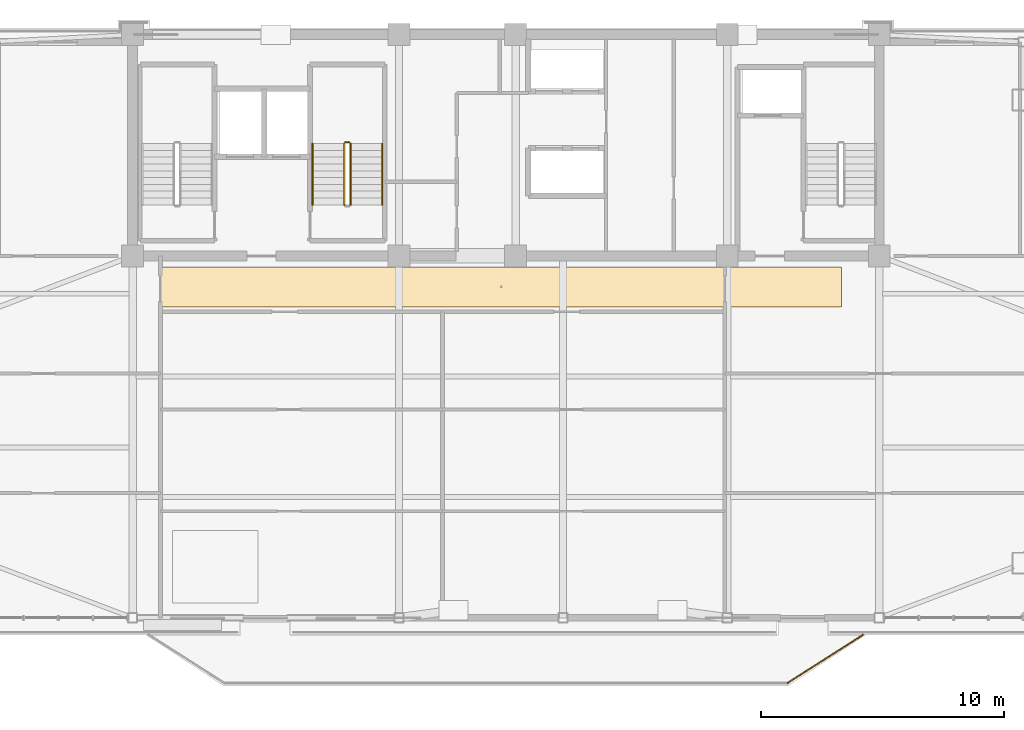
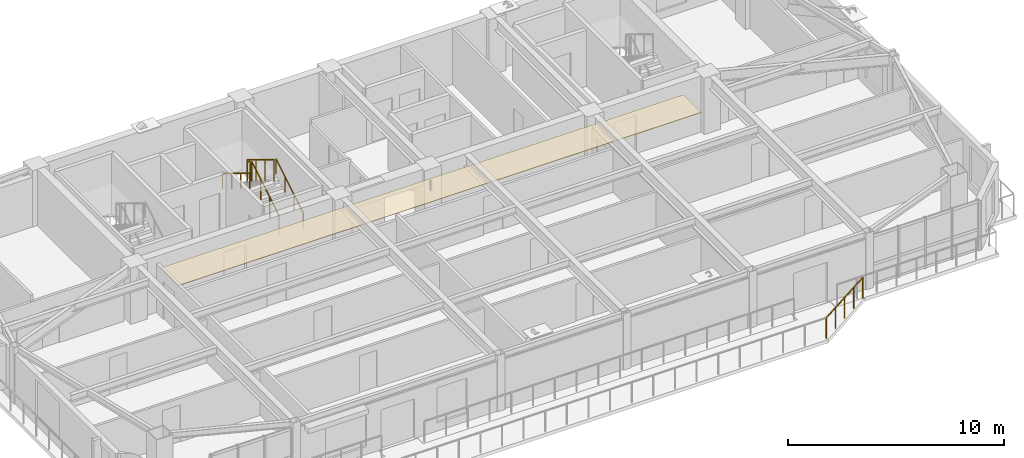
# One storey, part 12 of 13: 6 railings, 1 covering.
"""IFC4 building model written with IfcOpenShell, lengths in metres."""

from ifc_helpers import new_model, si_unit, direction, frame, origin, origin_2d, place, context, subcontext, project, spatial, polyline, rectangle, outline, extrude, material, layer, layer_set, type_object, element, save


model = new_model("IFC4")

# Units and contexts
model_context = context("Model", 3, precision=1e-05, world=origin(), true_north=direction((0.0, 1.0)))
body_context = subcontext(model_context, "Body", "Model", "MODEL_VIEW")
ifc_project = project(units=[si_unit("LENGTHUNIT", "METRE"), si_unit("AREAUNIT", "SQUARE_METRE"), si_unit("VOLUMEUNIT", "CUBIC_METRE"), si_unit("PLANEANGLEUNIT", "RADIAN"), si_unit("MASSUNIT", "GRAM", prefix="KILO")], contexts=[model_context])

# Site, building, storey
site_placement = place(None, origin())
site = spatial("IfcSite", under=ifc_project, at=site_placement, CompositionType="ELEMENT")
building_placement = place(site_placement, origin())
building = spatial("IfcBuilding", under=site, at=building_placement, Name="Giltprow Tower", CompositionType="ELEMENT")
storey_placement = place(building_placement, frame((0.0, 0.0, 335.699951171875)))
storey = spatial("IfcBuildingStorey", under=building, at=storey_placement, Name="L87", CompositionType="ELEMENT", Elevation=335.699951171875)

# Covering
ifc_material_1 = material(Name="Painted gypsum board", Category="gypsum")
ifc_layer = layer(ifc_material_1, 0.030029296875, Name="Painted gypsum board")
ifc_layer_set = layer_set([ifc_layer], Name="Painted gypsum board")
covering_type = type_object("IfcCoveringType", Name="COV-CLG-GYPSUM", PredefinedType="CEILING", material=ifc_layer_set)
covering_placement = place(storey_placement, frame((0.0, 0.0, 2.6201171875)))
element("IfcCovering", 1, at=covering_placement, inside=storey, type_object=covering_type, Name="L87 Residence Gallery Ceiling", PredefinedType="CEILING", context=body_context, shape_type="SweptSolid", body=[
    extrude(outline(polyline([(21.0, 35.35009765625), (49.0, 35.35009765625), (49.0, 37.0), (21.0, 37.0), (21.0, 35.35009765625)])), origin(), (0.0, 0.0, 1.0), 0.030029296875),
])

# Railings
ifc_material_2 = material(Name="Anodized bronze", Category="metal")
railing_type_1 = type_object("IfcRailingType", Name="RAIL-BALC-GUARD-1200", PredefinedType="BALUSTRADE", material=ifc_material_2)
railing_1_placement = place(storey_placement, frame((46.780029296875, 19.887939453125, 0.0)))
element("IfcRailing", 2, at=railing_1_placement, inside=storey, type_object=railing_type_1, Name="L87 Waterfront Balcony Balustrade Seg 3", PredefinedType="BALUSTRADE", context=body_context, shape_type="SweptSolid", body=[
    extrude(rectangle(XDim=0.048095703125, YDim=0.048095703125, at=origin_2d()), frame((0.0, 0.0, 1.17578125), z_axis=(0.842755646126, 0.538296313309, 0.0), x_axis=(-0.538296313309, 0.842755646126, 0.0)), (0.0, 0.0, 1.0), 3.67822265625),
    extrude(rectangle(XDim=0.0419921875, YDim=0.0419921875, at=origin_2d()), origin(), (0.0, 0.0, 1.0), 1.15185546875),
    extrude(rectangle(XDim=0.0419921875, YDim=0.0419921875, at=origin_2d()), frame((0.77490234375, 0.4951171875, 0.0)), (0.0, 0.0, 1.0), 1.15185546875),
    extrude(rectangle(XDim=0.0419921875, YDim=0.0419921875, at=origin_2d()), frame((1.5498046875, 0.989990234375, 0.0)), (0.0, 0.0, 1.0), 1.15185546875),
    extrude(rectangle(XDim=0.0419921875, YDim=0.0419921875, at=origin_2d()), frame((2.324951171875, 1.48486328125, 0.0)), (0.0, 0.0, 1.0), 1.15185546875),
    extrude(rectangle(XDim=0.0419921875, YDim=0.0419921875, at=origin_2d()), frame((3.099853515625, 1.97998046875, 0.0)), (0.0, 0.0, 1.0), 1.15185546875),
])
railing_type_2 = type_object("IfcRailingType", Name="RAIL-STAIR-GUARD-1200", PredefinedType="GUARDRAIL", material=ifc_material_2)
railing_2_placement = place(storey_placement, frame((28.81005859375, 39.550048828125, 0.170166015625)))
element("IfcRailing", 3, at=railing_2_placement, inside=storey, type_object=railing_type_2, Name="L87 ST-2 stair guard 1", PredefinedType="GUARDRAIL", context=body_context, shape_type="SweptSolid", body=[
    extrude(rectangle(XDim=0.048095703125, YDim=0.048095703125, at=origin_2d()), frame((0.0, 0.0, 1.17578125), z_axis=(0.0, 0.854821627497, 0.518921945155), x_axis=(-1.0, 0.0, 0.0)), (0.0, 0.0, 1.0), 2.947998046875),
    extrude(rectangle(XDim=0.0419921875, YDim=0.0419921875, at=origin_2d()), origin(), (0.0, 0.0, 1.0), 1.15185546875),
    extrude(rectangle(XDim=0.0419921875, YDim=0.0419921875, at=origin_2d()), frame((0.0, 0.840087890625, 0.510009765625)), (0.0, 0.0, 1.0), 1.15185546875),
    extrude(rectangle(XDim=0.0419921875, YDim=0.0419921875, at=origin_2d()), frame((0.0, 1.679931640625, 1.019775390625)), (0.0, 0.0, 1.0), 1.15185546875),
    extrude(rectangle(XDim=0.0419921875, YDim=0.0419921875, at=origin_2d()), frame((0.0, 2.52001953125, 1.52978515625)), (0.0, 0.0, 1.0), 1.15185546875),
])
railing_3_placement = place(storey_placement, frame((28.760009765625, 42.1201171875, 1.699951171875)))
element("IfcRailing", 4, at=railing_3_placement, inside=storey, type_object=railing_type_2, Name="L87 ST-2 stair guard 2", PredefinedType="GUARDRAIL", context=body_context, shape_type="SweptSolid", body=[
    extrude(rectangle(XDim=0.048095703125, YDim=0.048095703125, at=origin_2d()), frame((0.0, 0.0, 1.17578125), z_axis=(-1.0, 0.0, 0.0), x_axis=(0.0, -1.0, 0.0)), (0.0, 0.0, 1.0), 0.159912109375),
    extrude(rectangle(XDim=0.0419921875, YDim=0.0419921875, at=origin_2d()), origin(), (0.0, 0.0, 1.0), 1.15185546875),
    extrude(rectangle(XDim=0.0419921875, YDim=0.0419921875, at=origin_2d()), frame((-0.159912109375, 0.0, 0.0)), (0.0, 0.0, 1.0), 1.15185546875),
])
railing_4_placement = place(storey_placement, frame((28.550048828125, 42.070068359375, 1.8701171875)))
element("IfcRailing", 5, at=railing_4_placement, inside=storey, type_object=railing_type_2, Name="L87 ST-2 stair guard 3", PredefinedType="GUARDRAIL", context=body_context, shape_type="SweptSolid", body=[
    extrude(rectangle(XDim=0.048095703125, YDim=0.048095703125, at=origin_2d()), frame((0.0, 0.0, 1.17578125), z_axis=(0.0, -0.85478489116, 0.518982456201), x_axis=(1.0, 0.0, 0.0)), (0.0, 0.0, 1.0), 2.9482421875),
    extrude(rectangle(XDim=0.0419921875, YDim=0.0419921875, at=origin_2d()), origin(), (0.0, 0.0, 1.0), 1.15185546875),
    extrude(rectangle(XDim=0.0419921875, YDim=0.0419921875, at=origin_2d()), frame((0.0, -0.840087890625, 0.510009765625)), (0.0, 0.0, 1.0), 1.15185546875),
    extrude(rectangle(XDim=0.0419921875, YDim=0.0419921875, at=origin_2d()), frame((0.0, -1.679931640625, 1.02001953125)), (0.0, 0.0, 1.0), 1.15185546875),
    extrude(rectangle(XDim=0.0419921875, YDim=0.0419921875, at=origin_2d()), frame((0.0, -2.52001953125, 1.530029296875)), (0.0, 0.0, 1.0), 1.15185546875),
])
railing_type_3 = type_object("IfcRailingType", Name="RAIL-STAIR-HAND-900", PredefinedType="HANDRAIL", material=ifc_material_2)
railing_5_placement = place(storey_placement, frame((30.110107421875, 39.550048828125, 0.170166015625)))
element("IfcRailing", 6, at=railing_5_placement, inside=storey, type_object=railing_type_3, Name="L87 ST-2 stair handrail 1", PredefinedType="HANDRAIL", context=body_context, shape_type="SweptSolid", body=[
    extrude(rectangle(XDim=0.048095703125, YDim=0.048095703125, at=origin_2d()), frame((0.0, 0.0, 0.8759765625), z_axis=(0.0, 0.854821627497, 0.518921945155), x_axis=(-1.0, 0.0, 0.0)), (0.0, 0.0, 1.0), 2.947998046875),
    extrude(rectangle(XDim=0.0419921875, YDim=0.0419921875, at=origin_2d()), origin(), (0.0, 0.0, 1.0), 0.851806640625),
    extrude(rectangle(XDim=0.0419921875, YDim=0.0419921875, at=origin_2d()), frame((0.0, 0.840087890625, 0.510009765625)), (0.0, 0.0, 1.0), 0.851806640625),
    extrude(rectangle(XDim=0.0419921875, YDim=0.0419921875, at=origin_2d()), frame((0.0, 1.679931640625, 1.019775390625)), (0.0, 0.0, 1.0), 0.851806640625),
    extrude(rectangle(XDim=0.0419921875, YDim=0.0419921875, at=origin_2d()), frame((0.0, 2.52001953125, 1.52978515625)), (0.0, 0.0, 1.0), 0.851806640625),
])
railing_6_placement = place(storey_placement, frame((27.25, 42.070068359375, 1.8701171875)))
element("IfcRailing", 7, at=railing_6_placement, inside=storey, type_object=railing_type_3, Name="L87 ST-2 stair handrail 2", PredefinedType="HANDRAIL", context=body_context, shape_type="SweptSolid", body=[
    extrude(rectangle(XDim=0.048095703125, YDim=0.048095703125, at=origin_2d()), frame((0.0, 0.0, 0.8759765625), z_axis=(0.0, -0.85478489116, 0.518982456201), x_axis=(1.0, 0.0, 0.0)), (0.0, 0.0, 1.0), 2.9482421875),
    extrude(rectangle(XDim=0.0419921875, YDim=0.0419921875, at=origin_2d()), origin(), (0.0, 0.0, 1.0), 0.851806640625),
    extrude(rectangle(XDim=0.0419921875, YDim=0.0419921875, at=origin_2d()), frame((0.0, -0.840087890625, 0.510009765625)), (0.0, 0.0, 1.0), 0.851806640625),
    extrude(rectangle(XDim=0.0419921875, YDim=0.0419921875, at=origin_2d()), frame((0.0, -1.679931640625, 1.02001953125)), (0.0, 0.0, 1.0), 0.851806640625),
    extrude(rectangle(XDim=0.0419921875, YDim=0.0419921875, at=origin_2d()), frame((0.0, -2.52001953125, 1.530029296875)), (0.0, 0.0, 1.0), 0.851806640625),
])

save(model, "model.ifc")
